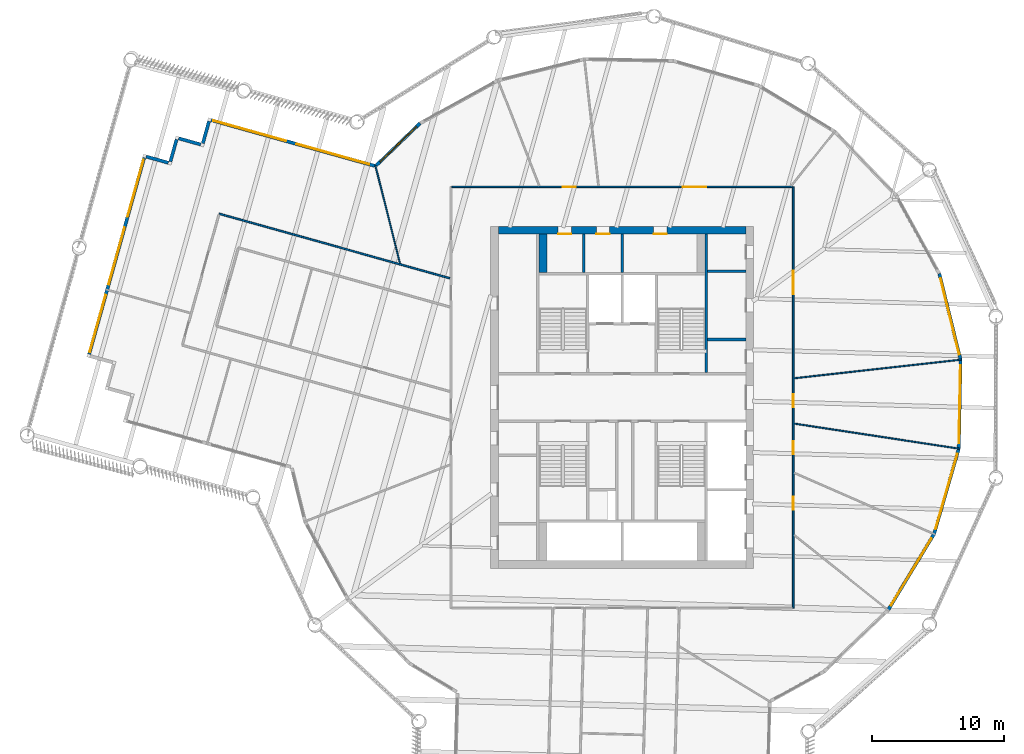
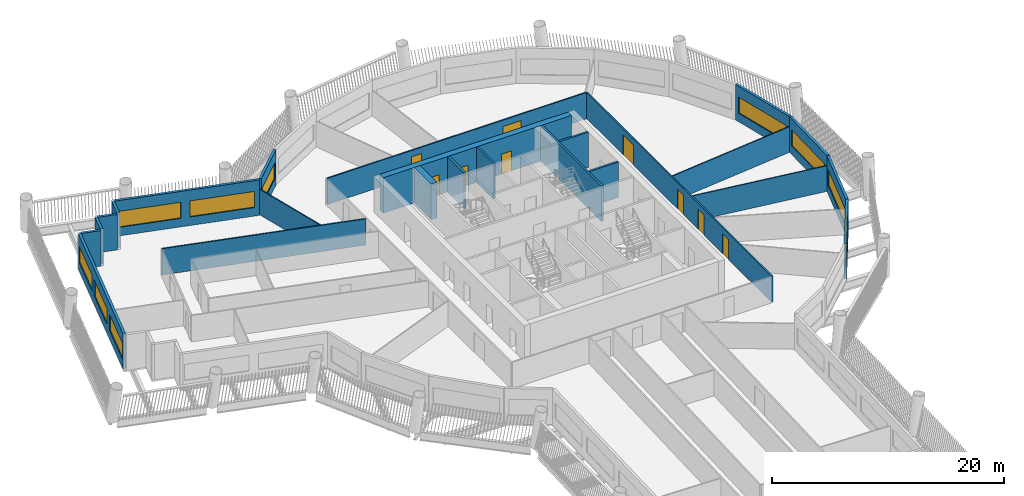
# One storey, part 6 of 15: 24 walls, 10 windows, 9 doors, 19 openings.
"""IFC4 building model written with IfcOpenShell, lengths in metres."""

from ifc_helpers import new_model, si_unit, direction, frame, frame_2d, origin, place, context, subcontext, project, spatial, rectangle, extrude, material, layer, layer_set, type_object, element, fill, save


model = new_model("IFC4")

# Units and contexts
model_context = context("Model", 3, precision=1e-05, world=origin(), true_north=direction((0.0, 1.0)))
body_context = subcontext(model_context, "Body", "Model", "MODEL_VIEW")
ifc_project = project(units=[si_unit("LENGTHUNIT", "METRE"), si_unit("AREAUNIT", "SQUARE_METRE"), si_unit("VOLUMEUNIT", "CUBIC_METRE"), si_unit("PLANEANGLEUNIT", "RADIAN"), si_unit("MASSUNIT", "GRAM", prefix="KILO")], contexts=[model_context])

# Site, building, storey
site_placement = place(None, origin())
site = spatial("IfcSite", under=ifc_project, at=site_placement, CompositionType="ELEMENT")
building_placement = place(site_placement, origin())
building = spatial("IfcBuilding", under=site, at=building_placement, Name="Tarsis Ring Headquarters", CompositionType="ELEMENT")
storey_placement = place(building_placement, frame((0.0, 0.0, 219.89990234375)))
storey = spatial("IfcBuildingStorey", under=building, at=storey_placement, Name="L51", CompositionType="ELEMENT", Elevation=219.89990234375)

# Walls
ifc_material_1 = material(Name="Blockwork", Category="masonry")
ifc_layer_1 = layer(ifc_material_1, 0.199951171875)
ifc_layer_set_1 = layer_set([ifc_layer_1], Name="Core blockwork wall 200")
wall_type_1 = type_object("IfcWallType", Name="Core blockwork wall 200", PredefinedType="PARTITIONING", material=ifc_layer_set_1)
for number, where, z_axis, x_axis, name in (
    (1, (6.5, 4.39990234375, 0.0), (0.0, 0.0, 1.0), (1.0, 0.0, 0.0), "Core partition ED5"),
    (2, (6.5, 9.60009765625, 0.0), (0.0, 0.0, 1.0), (1.0, 0.0, 0.0), "Core partition ED7"),
    (3, (-2.89990234375, 9.5, 0.0), (0.0, 0.0, 1.0), (0.0, 1.0, 0.0), "Core partition ND1"),
    (4, (0.0, 9.5, 0.0), (0.0, 0.0, 1.0), (0.0, 1.0, 0.0), "Core partition ND2"),
):
    element("IfcWall", number, at=place(storey_placement, frame(where, z_axis=z_axis, x_axis=x_axis)), inside=storey, type_object=wall_type_1, Name=name, PredefinedType="PARTITIONING", context=body_context, shape_type="SweptSolid", body=[
        extrude(rectangle(XDim=2.89990234375, YDim=0.199951171875, at=frame_2d((1.449951171875, 0.0))), origin(), (0.0, 0.0, 1.0), 3.739990234375),
    ])

# Wall, openings, doors
ifc_material_2 = material(Name="Concrete C50/60", Category="concrete")
ifc_layer_2 = layer(ifc_material_2, 0.60009765625)
ifc_layer_set_2 = layer_set([ifc_layer_2], Name="Core wall 600 C50/60")
wall_type_2 = type_object("IfcWallType", Name="Core wall 600 C50/60", PredefinedType="SHEAR", material=ifc_layer_set_2)
wall_1_placement = place(storey_placement, frame((-9.39990234375, 12.699951171875, 0.0), z_axis=(0.0, 0.0, 1.0), x_axis=(1.0, 0.0, 0.0)))
wall_1 = element("IfcWall", 5, at=wall_1_placement, inside=storey, type_object=wall_type_2, Name="Core wall ON", PredefinedType="SHEAR", context=body_context, shape_type="SweptSolid", body=[
    extrude(rectangle(XDim=18.7998046875, YDim=0.60009765625, at=frame_2d((9.39990234375, 0.0))), origin(), (0.0, 0.0, 1.0), 3.739990234375),
])
opening_1_placement = place(wall_1_placement, frame((4.550048828125, 0.0, 0.0)))
opening_1 = element("IfcOpeningElement", 6, at=opening_1_placement, cuts=wall_1, Name="Opening L51-C14", PredefinedType="OPENING", context=body_context, shape_type="SweptSolid", body=[
    extrude(rectangle(XDim=1.0, YDim=2.10009765625, at=frame_2d((0.5, 1.050048828125))), frame((0.0, 0.31005859375, 0.0), z_axis=(0.0, -1.0, 0.0), x_axis=(1.0, 0.0, 0.0)), (0.0, 0.0, 1.0), 0.6201171875),
])
opening_2_placement = place(wall_1_placement, frame((7.449951171875, 0.0, 0.0)))
opening_2 = element("IfcOpeningElement", 7, at=opening_2_placement, cuts=wall_1, Name="Opening L51-C15", PredefinedType="OPENING", context=body_context, shape_type="SweptSolid", body=[
    extrude(rectangle(XDim=1.0, YDim=2.10009765625, at=frame_2d((0.5, 1.050048828125))), frame((0.0, 0.31005859375, 0.0), z_axis=(0.0, -1.0, 0.0), x_axis=(1.0, 0.0, 0.0)), (0.0, 0.0, 1.0), 0.6201171875),
])
opening_3_placement = place(wall_1_placement, frame((11.800048828125, 0.0, 0.0)))
opening_3 = element("IfcOpeningElement", 8, at=opening_3_placement, cuts=wall_1, Name="Opening L51-C16", PredefinedType="OPENING", context=body_context, shape_type="SweptSolid", body=[
    extrude(rectangle(XDim=1.0, YDim=2.10009765625, at=frame_2d((0.5, 1.050048828125))), frame((0.0, 0.31005859375, 0.0), z_axis=(0.0, -1.0, 0.0), x_axis=(1.0, 0.0, 0.0)), (0.0, 0.0, 1.0), 0.6201171875),
])
ifc_material_3 = material(Name="Steel S355", Category="steel")
door_type_1 = type_object("IfcDoorType", Name="Core room door 1000x2100", OperationType="SINGLE_SWING_LEFT", PredefinedType="DOOR", material=ifc_material_3)
door_1_placement = place(opening_1_placement, origin())
door_1 = element("IfcDoor", 9, at=door_1_placement, inside=storey, type_object=door_type_1, Name="Core room door L51", OperationType="SINGLE_SWING_LEFT", OverallHeight=2.10009765625, OverallWidth=1.0, PredefinedType="DOOR", context=body_context, shape_type="SweptSolid", body=[
    extrude(rectangle(XDim=1.0, YDim=2.10009765625, at=frame_2d((0.5, 1.050048828125))), frame((0.0, -0.25, 0.0), z_axis=(0.0, -1.0, 0.0), x_axis=(1.0, 0.0, 0.0)), (0.0, 0.0, 1.0), 0.050048828125),
])
fill(opening_1, door_1)
door_2_placement = place(opening_2_placement, origin())
door_2 = element("IfcDoor", 10, at=door_2_placement, inside=storey, type_object=door_type_1, Name="Core room door L51", OperationType="SINGLE_SWING_LEFT", OverallHeight=2.10009765625, OverallWidth=1.0, PredefinedType="DOOR", context=body_context, shape_type="SweptSolid", body=[
    extrude(rectangle(XDim=1.0, YDim=2.10009765625, at=frame_2d((0.5, 1.050048828125))), frame((0.0, -0.25, 0.0), z_axis=(0.0, -1.0, 0.0), x_axis=(1.0, 0.0, 0.0)), (0.0, 0.0, 1.0), 0.050048828125),
])
fill(opening_2, door_2)
door_3_placement = place(opening_3_placement, origin())
door_3 = element("IfcDoor", 11, at=door_3_placement, inside=storey, type_object=door_type_1, Name="Core room door L51", OperationType="SINGLE_SWING_LEFT", OverallHeight=2.10009765625, OverallWidth=1.0, PredefinedType="DOOR", context=body_context, shape_type="SweptSolid", body=[
    extrude(rectangle(XDim=1.0, YDim=2.10009765625, at=frame_2d((0.5, 1.050048828125))), frame((0.0, -0.25, 0.0), z_axis=(0.0, -1.0, 0.0), x_axis=(1.0, 0.0, 0.0)), (0.0, 0.0, 1.0), 0.050048828125),
])
fill(opening_3, door_3)

# Walls
ifc_material_4 = material(Name="Gypsum board on steel studs", Category="steel")
ifc_layer_3 = layer(ifc_material_4, 0.10009765625)
ifc_layer_set_3 = layer_set([ifc_layer_3], Name="FL partition 100 unrated")
wall_type_3 = type_object("IfcWallType", Name="FL partition 100 unrated", PredefinedType="PARTITIONING", material=ifc_layer_set_3)
wall_2_placement = place(storey_placement, frame((13.069580078125, 1.456787109375, 0.0), z_axis=(0.0, 0.0, 1.0), x_axis=(0.993844586724, 0.110783290433, 0.0)))
element("IfcWall", 12, at=wall_2_placement, inside=storey, type_object=wall_type_3, Name="Partition PW3", PredefinedType="PARTITIONING", context=body_context, shape_type="SweptSolid", body=[
    extrude(rectangle(XDim=12.79736328125, YDim=0.10009765625, at=frame_2d((6.398681640625, 0.0))), origin(), (0.0, 0.0, 1.0), 2.7001953125),
])
wall_3_placement = place(storey_placement, frame((13.069091796875, -1.98583984375, 0.0), z_axis=(0.0, 0.0, 1.0), x_axis=(0.988652486758, -0.150220705719, 0.0)))
element("IfcWall", 13, at=wall_3_placement, inside=storey, type_object=wall_type_3, Name="Partition PW3", PredefinedType="PARTITIONING", context=body_context, shape_type="SweptSolid", body=[
    extrude(rectangle(XDim=12.728759765625, YDim=0.10009765625, at=frame_2d((6.3642578125, 0.0))), origin(), (0.0, 0.0, 1.0), 2.7001953125),
])
wall_4_placement = place(storey_placement, frame((-18.74365234375, 17.630859375, 0.0), z_axis=(0.0, 0.0, 1.0), x_axis=(0.243794342704, -0.969826952845, 0.0)))
element("IfcWall", 14, at=wall_4_placement, inside=storey, type_object=wall_type_3, Name="Partition PW3", PredefinedType="PARTITIONING", context=body_context, shape_type="SweptSolid", body=[
    extrude(rectangle(XDim=7.665771484375, YDim=0.10009765625, at=frame_2d((3.8330078125, 0.0))), origin(), (0.0, 0.0, 1.0), 2.7001953125),
])

# Wall, openings, doors
ifc_layer_4 = layer(ifc_material_4, 0.125)
ifc_layer_set_4 = layer_set([ifc_layer_4], Name="FL partition 125 EI 60 H2770")
wall_type_4 = type_object("IfcWallType", Name="FL partition 125 EI 60 H2770", PredefinedType="PARTITIONING", material=ifc_layer_set_4)
wall_5_placement = place(storey_placement, frame((13.0, -16.0, 0.0), z_axis=(0.0, 0.0, 1.0), x_axis=(0.0, 1.0, 0.0)))
wall_5 = element("IfcWall", 15, at=wall_5_placement, inside=storey, type_object=wall_type_4, Name="Partition PW1", PredefinedType="PARTITIONING", context=body_context, shape_type="SweptSolid", body=[
    extrude(rectangle(XDim=32.0, YDim=0.125, at=frame_2d((16.0, 0.0))), origin(), (0.0, 0.0, 1.0), 2.77001953125),
])
opening_4_placement = place(wall_5_placement, frame((23.824462890625, 0.0, 0.0)))
opening_4 = element("IfcOpeningElement", 16, at=opening_4_placement, cuts=wall_5, Name="Opening D51.06", PredefinedType="OPENING", context=body_context, shape_type="SweptSolid", body=[
    extrude(rectangle(XDim=1.800048828125, YDim=2.10009765625, at=frame_2d((0.89990234375, 1.050048828125))), frame((0.0, 0.072509765625, 0.0), z_axis=(0.0, -1.0, 0.0), x_axis=(1.0, 0.0, 0.0)), (0.0, 0.0, 1.0), 0.14501953125),
])
opening_5_placement = place(wall_5_placement, frame((15.23681640625, 0.0, 0.0)))
opening_5 = element("IfcOpeningElement", 17, at=opening_5_placement, cuts=wall_5, Name="Opening D51.07", PredefinedType="OPENING", context=body_context, shape_type="SweptSolid", body=[
    extrude(rectangle(XDim=1.0, YDim=2.10009765625, at=frame_2d((0.5, 1.050048828125))), frame((0.0, 0.072509765625, 0.0), z_axis=(0.0, -1.0, 0.0), x_axis=(1.0, 0.0, 0.0)), (0.0, 0.0, 1.0), 0.14501953125),
])
opening_6_placement = place(wall_5_placement, frame((11.6669921875, 0.0, 0.0)))
opening_6 = element("IfcOpeningElement", 18, at=opening_6_placement, cuts=wall_5, Name="Opening D51.08", PredefinedType="OPENING", context=body_context, shape_type="SweptSolid", body=[
    extrude(rectangle(XDim=1.0, YDim=2.10009765625, at=frame_2d((0.5, 1.050048828125))), frame((0.0, 0.072509765625, 0.0), z_axis=(0.0, -1.0, 0.0), x_axis=(1.0, 0.0, 0.0)), (0.0, 0.0, 1.0), 0.14501953125),
])
opening_7_placement = place(wall_5_placement, frame((7.45849609375, 0.0, 0.0)))
opening_7 = element("IfcOpeningElement", 19, at=opening_7_placement, cuts=wall_5, Name="Opening D51.09", PredefinedType="OPENING", context=body_context, shape_type="SweptSolid", body=[
    extrude(rectangle(XDim=1.0, YDim=2.10009765625, at=frame_2d((0.5, 1.050048828125))), frame((0.0, 0.072509765625, 0.0), z_axis=(0.0, -1.0, 0.0), x_axis=(1.0, 0.0, 0.0)), (0.0, 0.0, 1.0), 0.14501953125),
])
ifc_material_5 = material(Name="Fire-rated timber door leaf in steel frame", Category="steel")
door_type_2 = type_object("IfcDoorType", Name="FL door FD60-1000", OperationType="NOTDEFINED", PredefinedType="DOOR", material=ifc_material_5)
door_4_placement = place(opening_5_placement, origin())
door_4 = element("IfcDoor", 20, at=door_4_placement, inside=storey, type_object=door_type_2, Name="Door D51.07", OperationType="SINGLE_SWING_RIGHT", OverallHeight=2.10009765625, OverallWidth=1.0, PredefinedType="DOOR", context=body_context, shape_type="SweptSolid", body=[
    extrude(rectangle(XDim=1.0, YDim=2.10009765625, at=frame_2d((0.5, 1.050048828125))), frame((0.0, 0.02490234375, 0.0), z_axis=(0.0, -1.0, 0.0), x_axis=(1.0, 0.0, 0.0)), (0.0, 0.0, 1.0), 0.050048828125),
])
fill(opening_5, door_4)
door_5_placement = place(opening_6_placement, origin())
door_5 = element("IfcDoor", 21, at=door_5_placement, inside=storey, type_object=door_type_2, Name="Door D51.08", OperationType="SINGLE_SWING_LEFT", OverallHeight=2.10009765625, OverallWidth=1.0, PredefinedType="DOOR", context=body_context, shape_type="SweptSolid", body=[
    extrude(rectangle(XDim=1.0, YDim=2.10009765625, at=frame_2d((0.5, 1.050048828125))), frame((0.0, 0.02490234375, 0.0), z_axis=(0.0, -1.0, 0.0), x_axis=(1.0, 0.0, 0.0)), (0.0, 0.0, 1.0), 0.050048828125),
])
fill(opening_6, door_5)
door_6_placement = place(opening_7_placement, origin())
door_6 = element("IfcDoor", 22, at=door_6_placement, inside=storey, type_object=door_type_2, Name="Door D51.09", OperationType="SINGLE_SWING_RIGHT", OverallHeight=2.10009765625, OverallWidth=1.0, PredefinedType="DOOR", context=body_context, shape_type="SweptSolid", body=[
    extrude(rectangle(XDim=1.0, YDim=2.10009765625, at=frame_2d((0.5, 1.050048828125))), frame((0.0, 0.02490234375, 0.0), z_axis=(0.0, -1.0, 0.0), x_axis=(1.0, 0.0, 0.0)), (0.0, 0.0, 1.0), 0.050048828125),
])
fill(opening_7, door_6)
door_type_3 = type_object("IfcDoorType", Name="FL door FD60-1800", OperationType="DOUBLE_DOOR_SINGLE_SWING", PredefinedType="DOOR", material=ifc_material_5)
door_7_placement = place(opening_4_placement, origin())
door_7 = element("IfcDoor", 23, at=door_7_placement, inside=storey, type_object=door_type_3, Name="Door D51.06", OperationType="DOUBLE_DOOR_SINGLE_SWING", OverallHeight=2.10009765625, OverallWidth=1.800048828125, PredefinedType="DOOR", context=body_context, shape_type="SweptSolid", body=[
    extrude(rectangle(XDim=1.800048828125, YDim=2.10009765625, at=frame_2d((0.89990234375, 1.050048828125))), frame((0.0, 0.02490234375, 0.0), z_axis=(0.0, -1.0, 0.0), x_axis=(1.0, 0.0, 0.0)), (0.0, 0.0, 1.0), 0.050048828125),
])
fill(opening_4, door_7)

wall_6_placement = place(storey_placement, frame((-12.93994140625, 16.0, 0.0), z_axis=(0.0, 0.0, 1.0), x_axis=(1.0, 0.0, 0.0)))
wall_6 = element("IfcWall", 24, at=wall_6_placement, inside=storey, type_object=wall_type_4, Name="Partition PW1", PredefinedType="PARTITIONING", context=body_context, shape_type="SweptSolid", body=[
    extrude(rectangle(XDim=25.8798828125, YDim=0.125, at=frame_2d((12.93994140625, 0.0))), origin(), (0.0, 0.0, 1.0), 2.77001953125),
])
opening_8_placement = place(wall_6_placement, frame((8.419677734375, 0.0, 0.0)))
opening_8 = element("IfcOpeningElement", 25, at=opening_8_placement, cuts=wall_6, Name="Opening D51.04", PredefinedType="OPENING", context=body_context, shape_type="SweptSolid", body=[
    extrude(rectangle(XDim=1.0, YDim=2.10009765625, at=frame_2d((0.5, 1.050048828125))), frame((0.0, 0.072509765625, 0.0), z_axis=(0.0, -1.0, 0.0), x_axis=(1.0, 0.0, 0.0)), (0.0, 0.0, 1.0), 0.14501953125),
])
opening_9_placement = place(wall_6_placement, frame((17.543701171875, 0.0, 0.0)))
opening_9 = element("IfcOpeningElement", 26, at=opening_9_placement, cuts=wall_6, Name="Opening D51.05", PredefinedType="OPENING", context=body_context, shape_type="SweptSolid", body=[
    extrude(rectangle(XDim=1.800048828125, YDim=2.10009765625, at=frame_2d((0.89990234375, 1.050048828125))), frame((0.0, 0.072509765625, 0.0), z_axis=(0.0, -1.0, 0.0), x_axis=(1.0, 0.0, 0.0)), (0.0, 0.0, 1.0), 0.14501953125),
])
door_8_placement = place(opening_8_placement, origin())
door_8 = element("IfcDoor", 27, at=door_8_placement, inside=storey, type_object=door_type_2, Name="Door D51.04", OperationType="SINGLE_SWING_LEFT", OverallHeight=2.10009765625, OverallWidth=1.0, PredefinedType="DOOR", context=body_context, shape_type="SweptSolid", body=[
    extrude(rectangle(XDim=1.0, YDim=2.10009765625, at=frame_2d((0.5, 1.050048828125))), frame((0.0, 0.02490234375, 0.0), z_axis=(0.0, -1.0, 0.0), x_axis=(1.0, 0.0, 0.0)), (0.0, 0.0, 1.0), 0.050048828125),
])
fill(opening_8, door_8)
door_9_placement = place(opening_9_placement, origin())
door_9 = element("IfcDoor", 28, at=door_9_placement, inside=storey, type_object=door_type_3, Name="Door D51.05", OperationType="DOUBLE_DOOR_SINGLE_SWING", OverallHeight=2.10009765625, OverallWidth=1.800048828125, PredefinedType="DOOR", context=body_context, shape_type="SweptSolid", body=[
    extrude(rectangle(XDim=1.800048828125, YDim=2.10009765625, at=frame_2d((0.89990234375, 1.050048828125))), frame((0.0, 0.02490234375, 0.0), z_axis=(0.0, -1.0, 0.0), x_axis=(1.0, 0.0, 0.0)), (0.0, 0.0, 1.0), 0.050048828125),
])
fill(opening_9, door_9)

# Wall
wall_7_placement = place(storey_placement, frame((-30.610107421875, 13.958984375, 0.0), z_axis=(0.0, 0.0, 1.0), x_axis=(0.962976134531, -0.269586654572, 0.0)))
element("IfcWall", 29, at=wall_7_placement, inside=storey, type_object=wall_type_4, Name="Partition PW1", PredefinedType="PARTITIONING", context=body_context, shape_type="SweptSolid", body=[
    extrude(rectangle(XDim=18.207275390625, YDim=0.125, at=frame_2d((9.103515625, 0.0))), origin(), (0.0, 0.0, 1.0), 2.77001953125),
])

# Wall, opening, window
ifc_material_6 = material(Name="Terracotta clad insulated panel wall", Category="masonry")
ifc_layer_5 = layer(ifc_material_6, 0.25)
ifc_layer_set_5 = layer_set([ifc_layer_5], Name="Facade wall terracotta panel 250")
wall_type_5 = type_object("IfcWallType", Name="Facade wall terracotta panel 250", PredefinedType="STANDARD", material=ifc_layer_set_5)
wall_8_placement = place(storey_placement, frame((20.21826171875, -16.142333984375, 0.0), z_axis=(0.0, 0.0, 1.0), x_axis=(0.517110650749, 0.85591855622, 0.0)))
wall_8 = element("IfcWall", 30, at=wall_8_placement, inside=storey, type_object=wall_type_5, Name="External wall L51-19", PredefinedType="STANDARD", context=body_context, shape_type="SweptSolid", body=[
    extrude(rectangle(XDim=6.7216796875, YDim=0.25, at=frame_2d((3.36083984375, 0.0))), origin(), (0.0, 0.0, 1.0), 3.739990234375),
])
opening_10_placement = place(wall_8_placement, frame((0.3857421875, 0.0, 0.89990234375)))
opening_10 = element("IfcOpeningElement", 31, at=opening_10_placement, cuts=wall_8, Name="Opening WN07", PredefinedType="OPENING", context=body_context, shape_type="SweptSolid", body=[
    extrude(rectangle(XDim=5.949951171875, YDim=1.699951171875, at=frame_2d((2.97509765625, 0.85009765625))), frame((0.0, 0.135009765625, 0.0), z_axis=(0.0, -1.0, 0.0), x_axis=(1.0, 0.0, 0.0)), (0.0, 0.0, 1.0), 0.27001953125),
])
ifc_material_7 = material(Name="Aluminium framed double glazing", Category="aluminium")
window_type_1 = type_object("IfcWindowType", Name="Facade window 5950 x 1700", PartitioningType="SINGLE_PANEL", PredefinedType="WINDOW", material=ifc_material_7)
window_1_placement = place(opening_10_placement, origin())
window_1 = element("IfcWindow", 32, at=window_1_placement, inside=storey, type_object=window_type_1, Name="Window L51-19.1", OverallHeight=1.699951171875, OverallWidth=5.949951171875, PartitioningType="SINGLE_PANEL", PredefinedType="WINDOW", context=body_context, shape_type="SweptSolid", body=[
    extrude(rectangle(XDim=5.949951171875, YDim=1.699951171875, at=frame_2d((2.97509765625, 0.85009765625))), frame((0.0, 0.030029296875, 0.0), z_axis=(0.0, -1.0, 0.0), x_axis=(1.0, 0.0, 0.0)), (0.0, 0.0, 1.0), 0.06005859375),
])
fill(opening_10, window_1)

wall_9_placement = place(storey_placement, frame((23.707275390625, -10.359375, 0.0), z_axis=(0.0, 0.0, 1.0), x_axis=(0.277976935712, 0.960587748835, 0.0)))
wall_9 = element("IfcWall", 33, at=wall_9_placement, inside=storey, type_object=wall_type_5, Name="External wall L51-20", PredefinedType="STANDARD", context=body_context, shape_type="SweptSolid", body=[
    extrude(rectangle(XDim=6.721435546875, YDim=0.25, at=frame_2d((3.36083984375, 0.0))), origin(), (0.0, 0.0, 1.0), 3.739990234375),
])
opening_11_placement = place(wall_9_placement, frame((0.3857421875, 0.0, 0.89990234375)))
opening_11 = element("IfcOpeningElement", 34, at=opening_11_placement, cuts=wall_9, Name="Opening WN07", PredefinedType="OPENING", context=body_context, shape_type="SweptSolid", body=[
    extrude(rectangle(XDim=5.949951171875, YDim=1.699951171875, at=frame_2d((2.97509765625, 0.85009765625))), frame((0.0, 0.135009765625, 0.0), z_axis=(0.0, -1.0, 0.0), x_axis=(1.0, 0.0, 0.0)), (0.0, 0.0, 1.0), 0.27001953125),
])
window_2_placement = place(opening_11_placement, origin())
window_2 = element("IfcWindow", 35, at=window_2_placement, inside=storey, type_object=window_type_1, Name="Window L51-20.1", OverallHeight=1.699951171875, OverallWidth=5.949951171875, PartitioningType="SINGLE_PANEL", PredefinedType="WINDOW", context=body_context, shape_type="SweptSolid", body=[
    extrude(rectangle(XDim=5.949951171875, YDim=1.699951171875, at=frame_2d((2.97509765625, 0.85009765625))), frame((0.0, 0.030029296875, 0.0), z_axis=(0.0, -1.0, 0.0), x_axis=(1.0, 0.0, 0.0)), (0.0, 0.0, 1.0), 0.06005859375),
])
fill(opening_11, window_2)

wall_10_placement = place(storey_placement, frame((25.58056640625, -3.870361328125, 0.0), z_axis=(0.0, 0.0, 1.0), x_axis=(0.019904506044, 0.999801885695, 0.0)))
wall_10 = element("IfcWall", 36, at=wall_10_placement, inside=storey, type_object=wall_type_5, Name="External wall L51-21", PredefinedType="STANDARD", context=body_context, shape_type="SweptSolid", body=[
    extrude(rectangle(XDim=6.721435546875, YDim=0.25, at=frame_2d((3.36083984375, 0.0))), origin(), (0.0, 0.0, 1.0), 3.739990234375),
])
opening_12_placement = place(wall_10_placement, frame((0.3857421875, 0.0, 0.89990234375)))
opening_12 = element("IfcOpeningElement", 37, at=opening_12_placement, cuts=wall_10, Name="Opening WN07", PredefinedType="OPENING", context=body_context, shape_type="SweptSolid", body=[
    extrude(rectangle(XDim=5.949951171875, YDim=1.699951171875, at=frame_2d((2.97509765625, 0.85009765625))), frame((0.0, 0.135009765625, 0.0), z_axis=(0.0, -1.0, 0.0), x_axis=(1.0, 0.0, 0.0)), (0.0, 0.0, 1.0), 0.27001953125),
])
window_3_placement = place(opening_12_placement, origin())
window_3 = element("IfcWindow", 38, at=window_3_placement, inside=storey, type_object=window_type_1, Name="Window L51-21.1", OverallHeight=1.699951171875, OverallWidth=5.949951171875, PartitioningType="SINGLE_PANEL", PredefinedType="WINDOW", context=body_context, shape_type="SweptSolid", body=[
    extrude(rectangle(XDim=5.949951171875, YDim=1.699951171875, at=frame_2d((2.97509765625, 0.85009765625))), frame((0.0, 0.030029296875, 0.0), z_axis=(0.0, -1.0, 0.0), x_axis=(1.0, 0.0, 0.0)), (0.0, 0.0, 1.0), 0.06005859375),
])
fill(opening_12, window_3)

wall_11_placement = place(storey_placement, frame((25.710693359375, 2.882080078125, 0.0), z_axis=(0.0, 0.0, 1.0), x_axis=(-0.239543252869, 0.970885693583, 0.0)))
wall_11 = element("IfcWall", 39, at=wall_11_placement, inside=storey, type_object=wall_type_5, Name="External wall L51-22", PredefinedType="STANDARD", context=body_context, shape_type="SweptSolid", body=[
    extrude(rectangle(XDim=6.7216796875, YDim=0.25, at=frame_2d((3.36083984375, 0.0))), origin(), (0.0, 0.0, 1.0), 3.739990234375),
])
opening_13_placement = place(wall_11_placement, frame((0.3857421875, 0.0, 0.89990234375)))
opening_13 = element("IfcOpeningElement", 40, at=opening_13_placement, cuts=wall_11, Name="Opening WN07", PredefinedType="OPENING", context=body_context, shape_type="SweptSolid", body=[
    extrude(rectangle(XDim=5.949951171875, YDim=1.699951171875, at=frame_2d((2.97509765625, 0.85009765625))), frame((0.0, 0.135009765625, 0.0), z_axis=(0.0, -1.0, 0.0), x_axis=(1.0, 0.0, 0.0)), (0.0, 0.0, 1.0), 0.27001953125),
])
window_4_placement = place(opening_13_placement, origin())
window_4 = element("IfcWindow", 41, at=window_4_placement, inside=storey, type_object=window_type_1, Name="Window L51-22.1", OverallHeight=1.699951171875, OverallWidth=5.949951171875, PartitioningType="SINGLE_PANEL", PredefinedType="WINDOW", context=body_context, shape_type="SweptSolid", body=[
    extrude(rectangle(XDim=5.949951171875, YDim=1.699951171875, at=frame_2d((2.97509765625, 0.85009765625))), frame((0.0, 0.030029296875, 0.0), z_axis=(0.0, -1.0, 0.0), x_axis=(1.0, 0.0, 0.0)), (0.0, 0.0, 1.0), 0.06005859375),
])
fill(opening_13, window_4)

wall_12_placement = place(storey_placement, frame((-15.351318359375, 20.824951171875, 0.0), z_axis=(0.0, 0.0, 1.0), x_axis=(-0.721056541059, -0.692876226029, 0.0)))
wall_12 = element("IfcWall", 42, at=wall_12_placement, inside=storey, type_object=wall_type_5, Name="External wall L51-30", PredefinedType="STANDARD", context=body_context, shape_type="SweptSolid", body=[
    extrude(rectangle(XDim=4.61767578125, YDim=0.25, at=frame_2d((2.308837890625, 0.0))), origin(), (0.0, 0.0, 1.0), 3.739990234375),
])
opening_14_placement = place(wall_12_placement, frame((0.367431640625, 0.0, 0.89990234375)))
opening_14 = element("IfcOpeningElement", 43, at=opening_14_placement, cuts=wall_12, Name="Opening WN02", PredefinedType="OPENING", context=body_context, shape_type="SweptSolid", body=[
    extrude(rectangle(XDim=3.85009765625, YDim=1.699951171875, at=frame_2d((1.925048828125, 0.85009765625))), frame((0.0, 0.135009765625, 0.0), z_axis=(0.0, -1.0, 0.0), x_axis=(1.0, 0.0, 0.0)), (0.0, 0.0, 1.0), 0.27001953125),
])
window_type_2 = type_object("IfcWindowType", Name="Facade window 3850 x 1700", PartitioningType="SINGLE_PANEL", PredefinedType="WINDOW", material=ifc_material_7)
window_5_placement = place(opening_14_placement, origin())
window_5 = element("IfcWindow", 44, at=window_5_placement, inside=storey, type_object=window_type_2, Name="Window L51-30.1", OverallHeight=1.699951171875, OverallWidth=3.85009765625, PartitioningType="SINGLE_PANEL", PredefinedType="WINDOW", context=body_context, shape_type="SweptSolid", body=[
    extrude(rectangle(XDim=3.85009765625, YDim=1.699951171875, at=frame_2d((1.925048828125, 0.85009765625))), frame((0.0, 0.030029296875, 0.0), z_axis=(0.0, -1.0, 0.0), x_axis=(1.0, 0.0, 0.0)), (0.0, 0.0, 1.0), 0.06005859375),
])
fill(opening_14, window_5)

# Wall, openings, windows
wall_13_placement = place(storey_placement, frame((-18.80126953125, 17.59521484375, 0.0), z_axis=(0.0, 0.0, 1.0), x_axis=(-0.962975614567, 0.269588511901, 0.0)))
wall_13 = element("IfcWall", 45, at=wall_13_placement, inside=storey, type_object=wall_type_5, Name="External wall L51-31", PredefinedType="STANDARD", context=body_context, shape_type="SweptSolid", body=[
    extrude(rectangle(XDim=12.901123046875, YDim=0.25, at=frame_2d((6.45068359375, 0.0))), origin(), (0.0, 0.0, 1.0), 3.739990234375),
])
opening_15_placement = place(wall_13_placement, frame((0.412841796875, 0.0, 0.89990234375)))
opening_15 = element("IfcOpeningElement", 46, at=opening_15_placement, cuts=wall_13, Name="Opening WN06", PredefinedType="OPENING", context=body_context, shape_type="SweptSolid", body=[
    extrude(rectangle(XDim=5.75, YDim=1.699951171875, at=frame_2d((2.875, 0.85009765625))), frame((0.0, 0.135009765625, 0.0), z_axis=(0.0, -1.0, 0.0), x_axis=(1.0, 0.0, 0.0)), (0.0, 0.0, 1.0), 0.27001953125),
])
opening_16_placement = place(wall_13_placement, frame((6.988525390625, 0.0, 0.89990234375)))
opening_16 = element("IfcOpeningElement", 47, at=opening_16_placement, cuts=wall_13, Name="Opening WN06", PredefinedType="OPENING", context=body_context, shape_type="SweptSolid", body=[
    extrude(rectangle(XDim=5.75, YDim=1.699951171875, at=frame_2d((2.875, 0.85009765625))), frame((0.0, 0.135009765625, 0.0), z_axis=(0.0, -1.0, 0.0), x_axis=(1.0, 0.0, 0.0)), (0.0, 0.0, 1.0), 0.27001953125),
])
window_type_3 = type_object("IfcWindowType", Name="Facade window 5750 x 1700", PartitioningType="SINGLE_PANEL", PredefinedType="WINDOW", material=ifc_material_7)
window_6_placement = place(opening_15_placement, origin())
window_6 = element("IfcWindow", 48, at=window_6_placement, inside=storey, type_object=window_type_3, Name="Window L51-31.1", OverallHeight=1.699951171875, OverallWidth=5.75, PartitioningType="SINGLE_PANEL", PredefinedType="WINDOW", context=body_context, shape_type="SweptSolid", body=[
    extrude(rectangle(XDim=5.75, YDim=1.699951171875, at=frame_2d((2.875, 0.85009765625))), frame((0.0, 0.030029296875, 0.0), z_axis=(0.0, -1.0, 0.0), x_axis=(1.0, 0.0, 0.0)), (0.0, 0.0, 1.0), 0.06005859375),
])
fill(opening_15, window_6)
window_7_placement = place(opening_16_placement, origin())
window_7 = element("IfcWindow", 49, at=window_7_placement, inside=storey, type_object=window_type_3, Name="Window L51-31.2", OverallHeight=1.699951171875, OverallWidth=5.75, PartitioningType="SINGLE_PANEL", PredefinedType="WINDOW", context=body_context, shape_type="SweptSolid", body=[
    extrude(rectangle(XDim=5.75, YDim=1.699951171875, at=frame_2d((2.875, 0.85009765625))), frame((0.0, 0.030029296875, 0.0), z_axis=(0.0, -1.0, 0.0), x_axis=(1.0, 0.0, 0.0)), (0.0, 0.0, 1.0), 0.06005859375),
])
fill(opening_16, window_7)

# Walls
for number, where, z_axis, x_axis, name in (
    (50, (-31.37890625, 20.986572265625, 0.0), (0.0, 0.0, 1.0), (-0.269650622566, -0.962958224301, 0.0), "External wall L51-32"),
    (51, (-32.0048828125, 19.214599609375, 0.0), (0.0, 0.0, 1.0), (-0.962958224301, 0.269650622566, 0.0), "External wall L51-33"),
):
    element("IfcWall", number, at=place(storey_placement, frame(where, z_axis=z_axis, x_axis=x_axis)), inside=storey, type_object=wall_type_5, Name=name, PredefinedType="STANDARD", context=body_context, shape_type="SweptSolid", body=[
        extrude(rectangle(XDim=1.750244140625, YDim=0.25, at=frame_2d((0.875, 0.0))), origin(), (0.0, 0.0, 1.0), 3.739990234375),
    ])
wall_14_placement = place(storey_placement, frame((-33.84423828125, 19.599853515625, 0.0), z_axis=(0.0, 0.0, 1.0), x_axis=(-0.269521259897, -0.962994439477, 0.0)))
element("IfcWall", 52, at=wall_14_placement, inside=storey, type_object=wall_type_5, Name="External wall L51-34", PredefinedType="STANDARD", context=body_context, shape_type="SweptSolid", body=[
    extrude(rectangle(XDim=1.75, YDim=0.25, at=frame_2d((0.875, 0.0))), origin(), (0.0, 0.0, 1.0), 3.739990234375),
])
wall_15_placement = place(storey_placement, frame((-34.469970703125, 17.827880859375, 0.0), z_axis=(0.0, 0.0, 1.0), x_axis=(-0.962958224301, 0.269650622566, 0.0)))
element("IfcWall", 53, at=wall_15_placement, inside=storey, type_object=wall_type_5, Name="External wall L51-35", PredefinedType="STANDARD", context=body_context, shape_type="SweptSolid", body=[
    extrude(rectangle(XDim=1.750244140625, YDim=0.25, at=frame_2d((0.875, 0.0))), origin(), (0.0, 0.0, 1.0), 3.739990234375),
])

# Wall, openings, windows
wall_16_placement = place(storey_placement, frame((-36.309326171875, 18.213134765625, 0.0), z_axis=(0.0, 0.0, 1.0), x_axis=(-0.269591366127, -0.962974815512, 0.0)))
wall_16 = element("IfcWall", 54, at=wall_16_placement, inside=storey, type_object=wall_type_5, Name="External wall L51-36", PredefinedType="STANDARD", context=body_context, shape_type="SweptSolid", body=[
    extrude(rectangle(XDim=15.500244140625, YDim=0.25, at=frame_2d((7.75, 0.0))), origin(), (0.0, 0.0, 1.0), 3.739990234375),
])
opening_17_placement = place(wall_16_placement, frame((0.166748046875, 0.0, 0.89990234375)))
opening_17 = element("IfcOpeningElement", 55, at=opening_17_placement, cuts=wall_16, Name="Opening WN04", PredefinedType="OPENING", context=body_context, shape_type="SweptSolid", body=[
    extrude(rectangle(XDim=4.5, YDim=1.699951171875, at=frame_2d((2.25, 0.85009765625))), frame((0.0, 0.135009765625, 0.0), z_axis=(0.0, -1.0, 0.0), x_axis=(1.0, 0.0, 0.0)), (0.0, 0.0, 1.0), 0.27001953125),
])
opening_18_placement = place(wall_16_placement, frame((5.5, 0.0, 0.89990234375)))
opening_18 = element("IfcOpeningElement", 56, at=opening_18_placement, cuts=wall_16, Name="Opening WN04", PredefinedType="OPENING", context=body_context, shape_type="SweptSolid", body=[
    extrude(rectangle(XDim=4.5, YDim=1.699951171875, at=frame_2d((2.25, 0.85009765625))), frame((0.0, 0.135009765625, 0.0), z_axis=(0.0, -1.0, 0.0), x_axis=(1.0, 0.0, 0.0)), (0.0, 0.0, 1.0), 0.27001953125),
])
opening_19_placement = place(wall_16_placement, frame((10.833251953125, 0.0, 0.89990234375)))
opening_19 = element("IfcOpeningElement", 57, at=opening_19_placement, cuts=wall_16, Name="Opening WN04", PredefinedType="OPENING", context=body_context, shape_type="SweptSolid", body=[
    extrude(rectangle(XDim=4.5, YDim=1.699951171875, at=frame_2d((2.25, 0.85009765625))), frame((0.0, 0.135009765625, 0.0), z_axis=(0.0, -1.0, 0.0), x_axis=(1.0, 0.0, 0.0)), (0.0, 0.0, 1.0), 0.27001953125),
])
window_type_4 = type_object("IfcWindowType", Name="Facade window 4500 x 1700", PartitioningType="SINGLE_PANEL", PredefinedType="WINDOW", material=ifc_material_7)
window_8_placement = place(opening_17_placement, origin())
window_8 = element("IfcWindow", 58, at=window_8_placement, inside=storey, type_object=window_type_4, Name="Window L51-36.1", OverallHeight=1.699951171875, OverallWidth=4.5, PartitioningType="SINGLE_PANEL", PredefinedType="WINDOW", context=body_context, shape_type="SweptSolid", body=[
    extrude(rectangle(XDim=4.5, YDim=1.699951171875, at=frame_2d((2.25, 0.85009765625))), frame((0.0, 0.030029296875, 0.0), z_axis=(0.0, -1.0, 0.0), x_axis=(1.0, 0.0, 0.0)), (0.0, 0.0, 1.0), 0.06005859375),
])
fill(opening_17, window_8)
window_9_placement = place(opening_18_placement, origin())
window_9 = element("IfcWindow", 59, at=window_9_placement, inside=storey, type_object=window_type_4, Name="Window L51-36.2", OverallHeight=1.699951171875, OverallWidth=4.5, PartitioningType="SINGLE_PANEL", PredefinedType="WINDOW", context=body_context, shape_type="SweptSolid", body=[
    extrude(rectangle(XDim=4.5, YDim=1.699951171875, at=frame_2d((2.25, 0.85009765625))), frame((0.0, 0.030029296875, 0.0), z_axis=(0.0, -1.0, 0.0), x_axis=(1.0, 0.0, 0.0)), (0.0, 0.0, 1.0), 0.06005859375),
])
fill(opening_18, window_9)
window_10_placement = place(opening_19_placement, origin())
window_10 = element("IfcWindow", 60, at=window_10_placement, inside=storey, type_object=window_type_4, Name="Window L51-36.3", OverallHeight=1.699951171875, OverallWidth=4.5, PartitioningType="SINGLE_PANEL", PredefinedType="WINDOW", context=body_context, shape_type="SweptSolid", body=[
    extrude(rectangle(XDim=4.5, YDim=1.699951171875, at=frame_2d((2.25, 0.85009765625))), frame((0.0, 0.030029296875, 0.0), z_axis=(0.0, -1.0, 0.0), x_axis=(1.0, 0.0, 0.0)), (0.0, 0.0, 1.0), 0.06005859375),
])
fill(opening_19, window_10)

# Walls
ifc_material_8 = material(Name="Concrete C32/40", Category="concrete")
ifc_layer_6 = layer(ifc_material_8, 0.60009765625)
ifc_layer_set_6 = layer_set([ifc_layer_6], Name="Shaft end wall 600 C32/40")
wall_type_6 = type_object("IfcWallType", Name="Shaft end wall 600 C32/40", PredefinedType="SOLIDWALL", material=ifc_layer_set_6)
wall_17_placement = place(storey_placement, frame((-6.0, 9.5, 0.0), z_axis=(0.0, 0.0, 1.0), x_axis=(0.0, 1.0, 0.0)))
element("IfcWall", 61, at=wall_17_placement, inside=storey, type_object=wall_type_6, Name="Core shaft wall NNE1", PredefinedType="SOLIDWALL", context=body_context, shape_type="SweptSolid", body=[
    extrude(rectangle(XDim=2.89990234375, YDim=0.60009765625, at=frame_2d((1.449951171875, 0.0))), origin(), (0.0, 0.0, 1.0), 3.739990234375),
])
ifc_layer_7 = layer(ifc_material_8, 0.199951171875)
ifc_layer_set_7 = layer_set([ifc_layer_7], Name="Shaft wall 200 C32/40")
wall_type_7 = type_object("IfcWallType", Name="Shaft wall 200 C32/40", PredefinedType="SOLIDWALL", material=ifc_layer_set_7)
wall_18_placement = place(storey_placement, frame((6.39990234375, 1.89990234375, 0.0), z_axis=(0.0, 0.0, 1.0), x_axis=(0.0, 1.0, 0.0)))
element("IfcWall", 62, at=wall_18_placement, inside=storey, type_object=wall_type_7, Name="Core shaft wall EB2", PredefinedType="SOLIDWALL", context=body_context, shape_type="SweptSolid", body=[
    extrude(rectangle(XDim=10.5, YDim=0.199951171875, at=frame_2d((5.25, 0.0))), origin(), (0.0, 0.0, 1.0), 3.739990234375),
])

save(model, "model.ifc")
